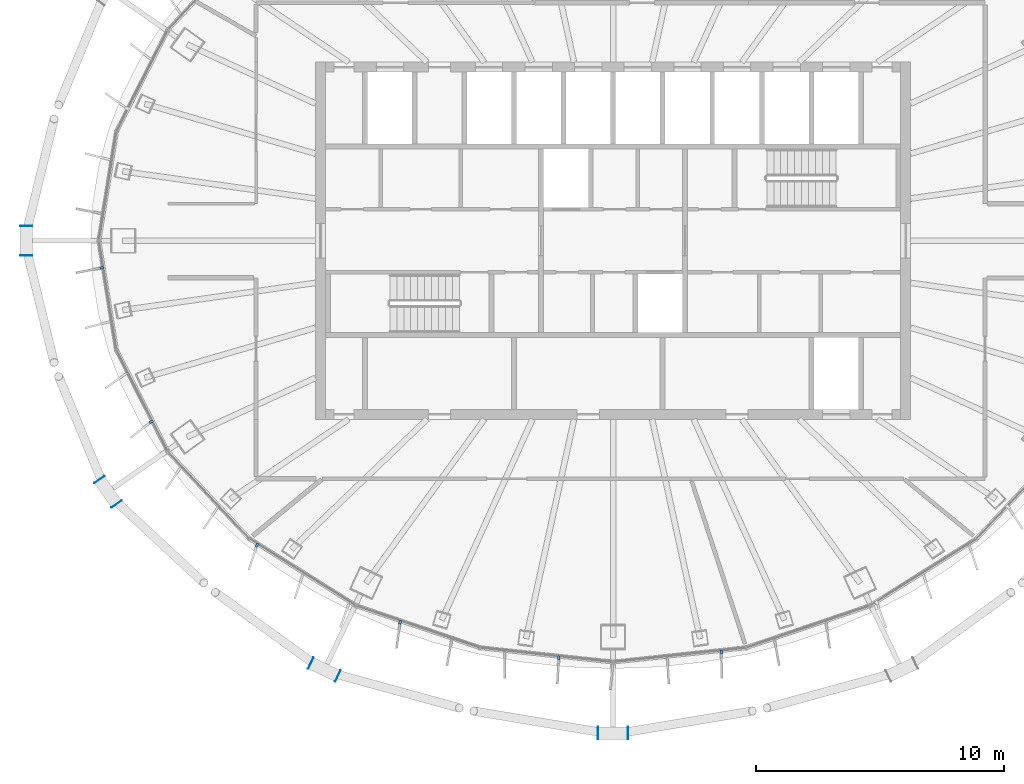
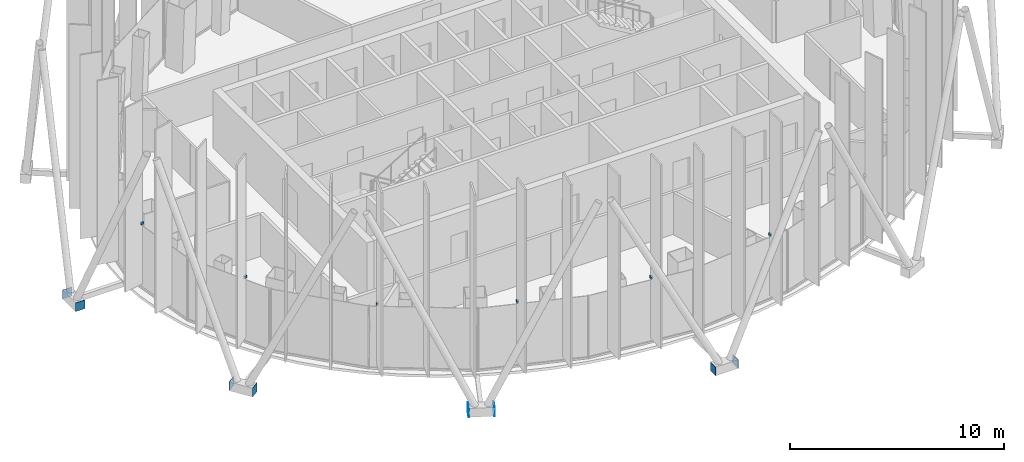
# One storey, part 12 of 19: 14 discrete accessories.
"""IFC4 building model written with IfcOpenShell, lengths in metres."""

from ifc_helpers import new_model, si_unit, direction, frame, origin, origin_2d, place, context, subcontext, project, spatial, rectangle, extrude, material, layer, layer_set, type_object, element, save


model = new_model("IFC4")

# Units and contexts
model_context = context("Model", 3, precision=1e-05, world=origin(), true_north=direction((0.0, 1.0)))
body_context = subcontext(model_context, "Body", "Model", "MODEL_VIEW")
ifc_project = project(units=[si_unit("LENGTHUNIT", "METRE"), si_unit("AREAUNIT", "SQUARE_METRE"), si_unit("VOLUMEUNIT", "CUBIC_METRE"), si_unit("PLANEANGLEUNIT", "RADIAN"), si_unit("MASSUNIT", "GRAM", prefix="KILO")], contexts=[model_context])

# Site, building, storey
site_placement = place(None, origin())
site = spatial("IfcSite", under=ifc_project, at=site_placement, CompositionType="ELEMENT")
building_placement = place(site_placement, origin())
building = spatial("IfcBuilding", under=site, at=building_placement, Name="Siaravel Broadcast Tower", CompositionType="ELEMENT")
storey_placement = place(building_placement, frame((0.0, 0.0, 250.39990234375)))
storey = spatial("IfcBuildingStorey", under=building, at=storey_placement, Name="L61", CompositionType="ELEMENT", Elevation=250.39990234375)

# Discrete accessories
ifc_material_1 = material(Name="Stainless steel 316", Category="steel")
discrete_accessory_type_1 = type_object("IfcDiscreteAccessoryType", Name="Stainless steel fin bracket", PredefinedType="USERDEFINED", material=ifc_material_1)
for number, where, z_axis, x_axis, name in (
    (1, (-20.618896484375, -1.092529296875, 3.67529296875), (0.0, 0.0, 1.0), (-0.987329198, -0.158685394, 0.0), "Fin bracket L61-28"),
    (2, (-18.6259765625, -7.302734375, 3.67529296875), (0.0, 0.0, 1.0), (-0.892392939, -0.451259174, 0.0), "Fin bracket L61-31"),
    (3, (-14.3603515625, -12.276123046875, 3.67529296875), (0.0, 0.0, 1.0), (-0.53215093, -0.846649507, 0.0), "Fin bracket L61-34"),
    (4, (-8.584716796875, -15.384521484375, 3.67529296875), (0.0, 0.0, 1.0), (-0.321302287, -0.946976684, 0.0), "Fin bracket L61-37"),
    (5, (-2.187744140625, -16.816650390625, 3.67529296875), (0.0, 0.0, 1.0), (-0.107218518, -0.99423548, 0.0), "Fin bracket L61-40"),
    (6, (4.368896484375, -16.581298828125, 3.67529296875), (0.0, 0.0, 1.0), (0.107218518, -0.99423548, 0.0), "Fin bracket L61-43"),
):
    element("IfcDiscreteAccessory", number, at=place(storey_placement, frame(where, z_axis=z_axis, x_axis=x_axis)), inside=storey, type_object=discrete_accessory_type_1, Name=name, ObjectType="BRACKET", PredefinedType="USERDEFINED", context=body_context, shape_type="SweptSolid", body=[
        extrude(rectangle(XDim=0.159912109375, YDim=0.10009765625, at=origin_2d()), origin(), (0.0, 0.0, 1.0), 0.139892578125),
    ])
ifc_material_2 = material(Name="Steel S355", Category="steel")
ifc_layer = layer(ifc_material_2, 0.02001953125)
ifc_layer_set = layer_set([ifc_layer], Name="Steel S355")
discrete_accessory_type_2 = type_object("IfcDiscreteAccessoryType", Name="Steel end plate 20 mm", PredefinedType="USERDEFINED", material=ifc_layer_set)
for number, where, z_axis, x_axis, name in (
    (7, (-23.667724609375, -0.603515625, -0.449951171875), (0.0, 0.0, 1.0), (0.0, -1.0, 0.0), "End plate R25 station 36A"),
    (8, (-23.667724609375, 0.603515625, -0.449951171875), (0.0, 0.0, 1.0), (0.0, -1.0, 0.0), "End plate R25 station 36B"),
    (9, (-20.022705078125, -10.61962890625, -0.449951171875), (0.0, 0.0, 1.0), (0.576118513, -0.817366172, 0.0), "End plate R25 station 42A"),
    (10, (-20.718017578125, -9.63330078125, -0.449951171875), (0.0, 0.0, 1.0), (0.576118513, -0.817366172, 0.0), "End plate R25 station 42B"),
    (11, (-11.099853515625, -17.55322265625, -0.449951171875), (0.0, 0.0, 1.0), (0.904006456, -0.427518805, 0.0), "End plate R25 station 48A"),
    (12, (-12.19091796875, -17.037353515625, -0.449951171875), (0.0, 0.0, 1.0), (0.904006456, -0.427518805, 0.0), "End plate R25 station 48B"),
    (13, (0.603515625, -19.85693359375, -0.449951171875), (0.0, 0.0, 1.0), (1.0, 0.0, 0.0), "End plate R25 station 54A"),
    (14, (-0.603515625, -19.85693359375, -0.449951171875), (0.0, 0.0, 1.0), (1.0, 0.0, 0.0), "End plate R25 station 54B"),
):
    element("IfcDiscreteAccessory", number, at=place(storey_placement, frame(where, z_axis=z_axis, x_axis=x_axis)), inside=storey, type_object=discrete_accessory_type_2, Name=name, ObjectType="END PLATE", PredefinedType="USERDEFINED", context=body_context, shape_type="SweptSolid", body=[
        extrude(rectangle(XDim=0.02001953125, YDim=0.5, at=origin_2d()), origin(), (0.0, 0.0, 1.0), 0.5),
    ])

save(model, "model.ifc")
